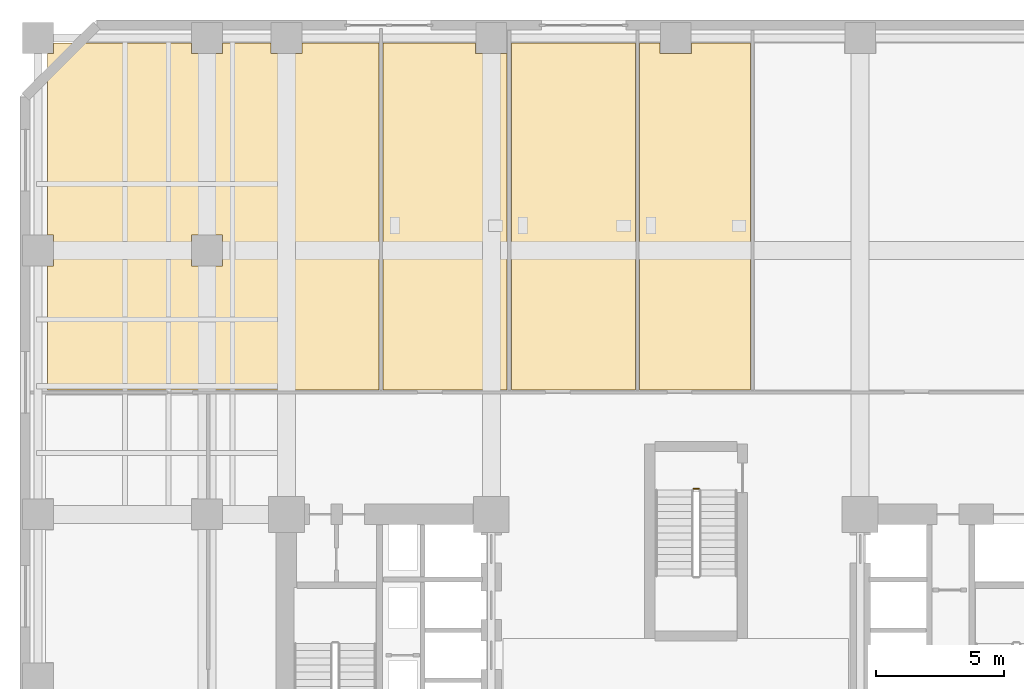
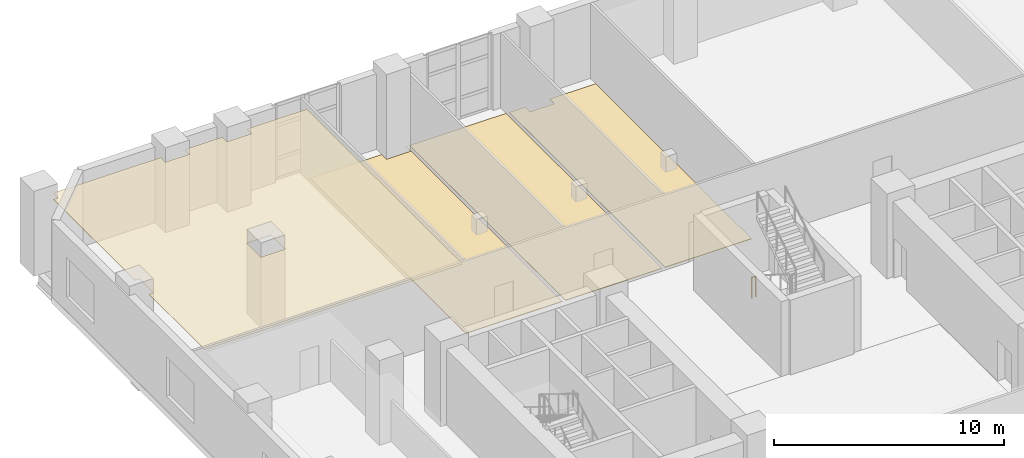
# One storey, part 13 of 15: 4 coverings, 1 railing.
"""IFC4 building model written with IfcOpenShell, lengths in metres."""

from ifc_helpers import new_model, si_unit, direction, frame, origin, origin_2d, place, context, subcontext, project, spatial, polyline, circle, outline, extrude, material, layer, layer_set, type_object, element, save


model = new_model("IFC4")

# Units and contexts
model_context = context("Model", 3, precision=1e-05, world=origin(), true_north=direction((0.0, 1.0)))
body_context = subcontext(model_context, "Body", "Model", "MODEL_VIEW")
ifc_project = project(units=[si_unit("LENGTHUNIT", "METRE"), si_unit("AREAUNIT", "SQUARE_METRE"), si_unit("VOLUMEUNIT", "CUBIC_METRE"), si_unit("PLANEANGLEUNIT", "RADIAN"), si_unit("MASSUNIT", "GRAM", prefix="KILO")], contexts=[model_context])

# Site, building, storey
site_placement = place(None, origin())
site = spatial("IfcSite", under=ifc_project, at=site_placement, CompositionType="ELEMENT")
building_placement = place(site_placement, origin())
building = spatial("IfcBuilding", under=site, at=building_placement, Name="Kranthara Brick Stack", CompositionType="ELEMENT")
storey_placement = place(building_placement, frame((0.0, 0.0, 14.39990234375)))
storey = spatial("IfcBuildingStorey", under=building, at=storey_placement, Name="L03", CompositionType="ELEMENT", Elevation=14.39990234375)

# Coverings
ifc_material_1 = material(Name="Perforated mineral-fibre acoustic ceiling tile", Category="other")
ifc_layer_1 = layer(ifc_material_1, 0.02490234375)
ifc_layer_set_1 = layer_set([ifc_layer_1], Name="Perforated mineral-fibre acoustic ceiling tile")
covering_type_1 = type_object("IfcCoveringType", Name="COV-CEIL-ACOUSTIC", PredefinedType="CEILING", material=ifc_layer_set_1)
covering_1_placement = place(storey_placement, frame((0.0, 0.0, 3.72998046875)))
element("IfcCovering", 1, at=covering_1_placement, inside=storey, type_object=covering_type_1, Name="L03 Flexible Desk Lounge Acoustic Ceiling", PredefinedType="CEILING", context=body_context, shape_type="SweptSolid", body=[
    extrude(outline(polyline([(3.7099609375, 43.2900390625), (3.7099609375, 44.510009765625), (3.47998046875, 44.510009765625), (3.47998046875, 51.590087890625), (3.7099609375, 51.590087890625), (3.7099609375, 52.0), (9.090087890625, 52.0), (9.090087890625, 51.590087890625), (10.31005859375, 51.590087890625), (10.31005859375, 52.0), (12.18994140625, 52.0), (12.18994140625, 51.590087890625), (13.409912109375, 51.590087890625), (13.409912109375, 52.0), (16.419921875, 52.0), (16.419921875, 38.449951171875), (3.47998046875, 38.449951171875), (3.47998046875, 43.2900390625), (3.7099609375, 43.2900390625)]), holes=[polyline([(10.31005859375, 44.510009765625), (9.090087890625, 44.510009765625), (9.090087890625, 43.2900390625), (10.31005859375, 43.2900390625), (10.31005859375, 44.510009765625)])]), origin(), (0.0, 0.0, 1.0), 0.025146484375),
])
ifc_material_2 = material(Name="Honed terrazzo and porcelain floor finish", Category="stone")
ifc_layer_2 = layer(ifc_material_2, 0.030029296875)
ifc_layer_set_2 = layer_set([ifc_layer_2], Name="Honed terrazzo and porcelain floor finish")
covering_type_2 = type_object("IfcCoveringType", Name="COV-FLOR-STONE", PredefinedType="FLOORING", material=ifc_layer_set_2)
covering_2_placement = place(storey_placement, origin())
element("IfcCovering", 2, at=covering_2_placement, inside=storey, type_object=covering_type_2, Name="L03 Wet Room Porcelain Flooring", PredefinedType="FLOORING", context=body_context, shape_type="SweptSolid", body=[
    extrude(outline(polyline([(21.419921875, 52.0), (21.419921875, 38.449951171875), (16.580078125, 38.449951171875), (16.580078125, 52.0), (20.18994140625, 52.0), (20.18994140625, 51.590087890625), (21.409912109375, 51.590087890625), (21.409912109375, 52.0), (21.419921875, 52.0)])), origin(), (0.0, 0.0, 1.0), 0.030029296875),
])
covering_3_placement = place(storey_placement, origin())
element("IfcCovering", 3, at=covering_3_placement, inside=storey, type_object=covering_type_2, Name="L03 Wet Room Porcelain Flooring", PredefinedType="FLOORING", context=body_context, shape_type="SweptSolid", body=[
    extrude(outline(polyline([(26.419921875, 38.449951171875), (26.419921875, 52.0), (21.580078125, 52.0), (21.580078125, 38.449951171875), (26.419921875, 38.449951171875)])), origin(), (0.0, 0.0, 1.0), 0.030029296875),
])
covering_4_placement = place(storey_placement, origin())
element("IfcCovering", 4, at=covering_4_placement, inside=storey, type_object=covering_type_2, Name="L03 Wet Room Porcelain Flooring", PredefinedType="FLOORING", context=body_context, shape_type="SweptSolid", body=[
    extrude(outline(polyline([(30.919921875, 52.0), (30.919921875, 38.449951171875), (26.580078125, 38.449951171875), (26.580078125, 52.0), (27.389892578125, 52.0), (27.389892578125, 51.590087890625), (28.610107421875, 51.590087890625), (28.610107421875, 52.0), (30.919921875, 52.0)])), origin(), (0.0, 0.0, 1.0), 0.030029296875),
])

# Railing
ifc_material_3 = material(Name="Painted galvanized steel stair guardrail", Category="steel")
railing_type = type_object("IfcRailingType", Name="RL-STAIR-GUARD-1100", PredefinedType="GUARDRAIL", material=ifc_material_3)
railing_placement = place(storey_placement, frame((28.699951171875, 34.60009765625, 0.0)))
element("IfcRailing", 5, at=railing_placement, inside=storey, type_object=railing_type, Name="L03 ST04 stair guard 4", PredefinedType="GUARDRAIL", context=body_context, shape_type="SweptSolid", body=[
    extrude(circle(Radius=0.02392578125, at=origin_2d()), frame((0.0, 0.0, 1.076171875), z_axis=(1.0, 0.0, 0.0), x_axis=(0.0, 1.0, 0.0)), (0.0, 0.0, 1.0), 0.199951171875),
    extrude(circle(Radius=0.02099609375, at=origin_2d()), origin(), (0.0, 0.0, 1.0), 1.052001953125),
    extrude(circle(Radius=0.02099609375, at=origin_2d()), frame((0.199951171875, 0.0, 0.0)), (0.0, 0.0, 1.0), 1.052001953125),
])

save(model, "model.ifc")
